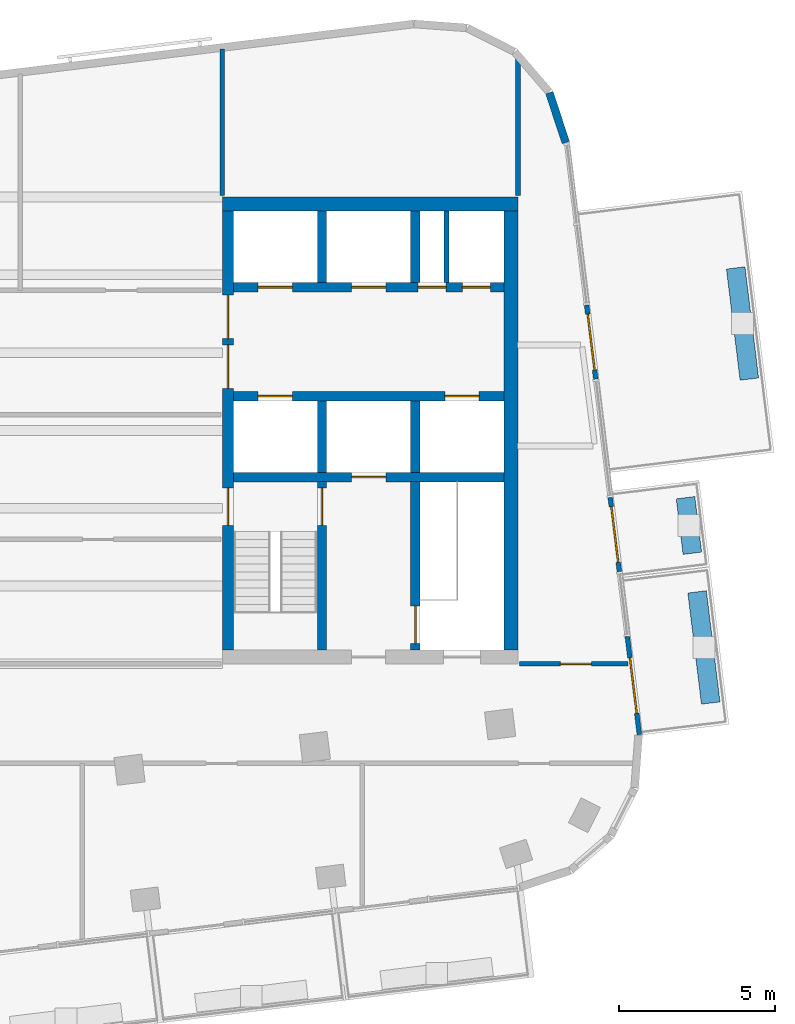
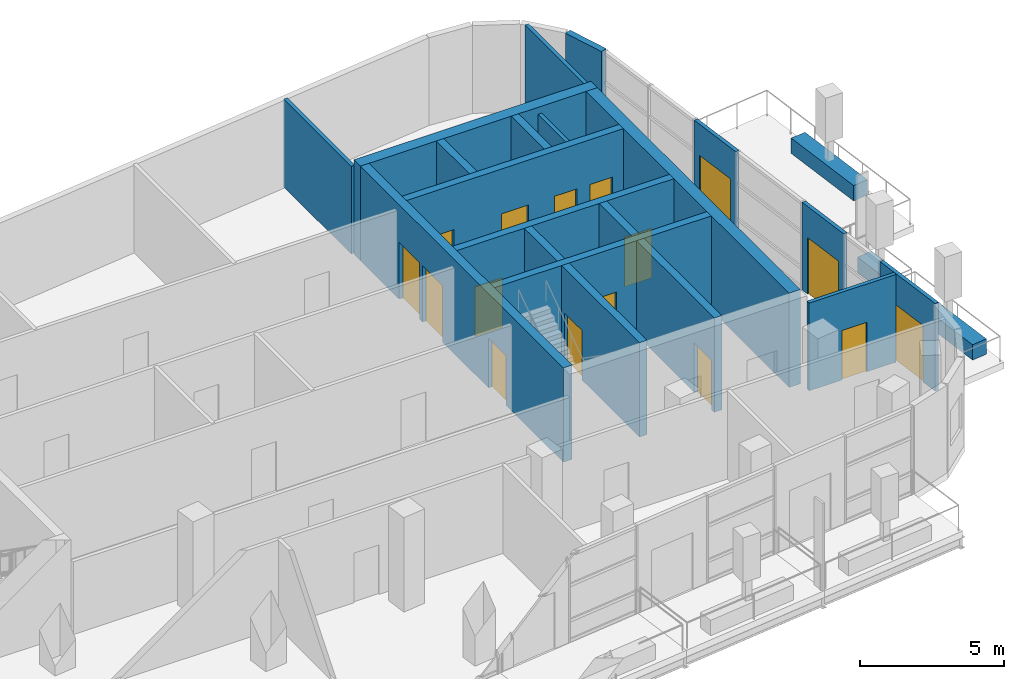
# One storey, part 9 of 13: 23 walls, 16 doors, 16 openings.
"""IFC4 building model written with IfcOpenShell, lengths in metres."""

from ifc_helpers import new_model, si_unit, direction, frame, frame_2d, origin, place, context, subcontext, project, spatial, rectangle, extrude, material, layer, layer_set, type_object, element, fill, save


model = new_model("IFC4")

# Units and contexts
model_context = context("Model", 3, precision=1e-05, world=origin(), true_north=direction((0.0, 1.0)))
body_context = subcontext(model_context, "Body", "Model", "MODEL_VIEW")
ifc_project = project(units=[si_unit("LENGTHUNIT", "METRE"), si_unit("AREAUNIT", "SQUARE_METRE"), si_unit("VOLUMEUNIT", "CUBIC_METRE"), si_unit("PLANEANGLEUNIT", "RADIAN"), si_unit("MASSUNIT", "GRAM", prefix="KILO")], contexts=[model_context])

# Site, building, storey
site_placement = place(None, origin())
site = spatial("IfcSite", under=ifc_project, at=site_placement, CompositionType="ELEMENT")
building_placement = place(site_placement, origin())
building = spatial("IfcBuilding", under=site, at=building_placement, Name="Torana Hotel and Residences", CompositionType="ELEMENT")
storey_placement = place(building_placement, frame((0.0, 0.0, 342.60009765625)))
storey = spatial("IfcBuildingStorey", under=building, at=storey_placement, Name="L90", CompositionType="ELEMENT", Elevation=342.60009765625)

# Wall, openings, doors
ifc_material_1 = material(Name="Concrete C60/75", Category="concrete")
ifc_layer_1 = layer(ifc_material_1, 0.300048828125)
ifc_layer_set_1 = layer_set([ifc_layer_1], Name="CORE WALL 300 C60/75")
wall_type_1 = type_object("IfcWallType", Name="CORE WALL 300 C60/75", PredefinedType="SHEAR", material=ifc_layer_set_1)
wall_1_placement = place(storey_placement, frame((10.35009765625, -2.89990234375, 0.0), z_axis=(0.0, 0.0, 1.0), x_axis=(1.0, 0.0, 0.0)))
wall_1 = element("IfcWall", 1, at=wall_1_placement, inside=storey, type_object=wall_type_1, Name="Core wall E row-N", PredefinedType="SHEAR", context=body_context, shape_type="SweptSolid", body=[
    extrude(rectangle(XDim=8.699951171875, YDim=0.300048828125, at=frame_2d((4.35009765625, 0.0))), origin(), (0.0, 0.0, 1.0), 4.0),
])
opening_1_placement = place(wall_1_placement, frame((0.800048828125, 0.0, 0.0)))
opening_1 = element("IfcOpeningElement", 2, at=opening_1_placement, cuts=wall_1, Name="Opening LD", PredefinedType="OPENING", context=body_context, shape_type="SweptSolid", body=[
    extrude(rectangle(XDim=1.10009765625, YDim=2.10009765625, at=frame_2d((0.550048828125, 1.050048828125))), frame((0.0, 0.159912109375, 0.0), z_axis=(0.0, -1.0, 0.0), x_axis=(1.0, 0.0, 0.0)), (0.0, 0.0, 1.0), 0.320068359375),
])
opening_2_placement = place(wall_1_placement, frame((3.800048828125, 0.0, 0.0)))
opening_2 = element("IfcOpeningElement", 3, at=opening_2_placement, cuts=wall_1, Name="Opening LD", PredefinedType="OPENING", context=body_context, shape_type="SweptSolid", body=[
    extrude(rectangle(XDim=1.10009765625, YDim=2.10009765625, at=frame_2d((0.550048828125, 1.050048828125))), frame((0.0, 0.159912109375, 0.0), z_axis=(0.0, -1.0, 0.0), x_axis=(1.0, 0.0, 0.0)), (0.0, 0.0, 1.0), 0.320068359375),
])
opening_3_placement = place(wall_1_placement, frame((5.9375, 0.0, 0.0)))
opening_3 = element("IfcOpeningElement", 4, at=opening_3_placement, cuts=wall_1, Name="Opening L90-15", PredefinedType="OPENING", context=body_context, shape_type="SweptSolid", body=[
    extrude(rectangle(XDim=0.89990234375, YDim=2.10009765625, at=frame_2d((0.449951171875, 1.050048828125))), frame((0.0, 0.159912109375, 0.0), z_axis=(0.0, -1.0, 0.0), x_axis=(1.0, 0.0, 0.0)), (0.0, 0.0, 1.0), 0.320068359375),
])
opening_4_placement = place(wall_1_placement, frame((7.362548828125, 0.0, 0.0)))
opening_4 = element("IfcOpeningElement", 5, at=opening_4_placement, cuts=wall_1, Name="Opening L90-16", PredefinedType="OPENING", context=body_context, shape_type="SweptSolid", body=[
    extrude(rectangle(XDim=0.89990234375, YDim=2.10009765625, at=frame_2d((0.449951171875, 1.050048828125))), frame((0.0, 0.159912109375, 0.0), z_axis=(0.0, -1.0, 0.0), x_axis=(1.0, 0.0, 0.0)), (0.0, 0.0, 1.0), 0.320068359375),
])
ifc_material_2 = material(Name="Stainless steel 316", Category="steel")
door_type_1 = type_object("IfcDoorType", Name="LIFT LANDING DOOR LD 1100x2100", OperationType="DOUBLE_DOOR_SLIDING", PredefinedType="USERDEFINED", material=ifc_material_2)
door_1_placement = place(opening_1_placement, origin())
door_1 = element("IfcDoor", 6, at=door_1_placement, inside=storey, type_object=door_type_1, Name="Lift landing door H3 L90", ObjectType="LIFT LANDING DOOR", OperationType="DOUBLE_DOOR_SLIDING", OverallHeight=2.10009765625, OverallWidth=1.10009765625, PredefinedType="USERDEFINED", context=body_context, shape_type="SweptSolid", body=[
    extrude(rectangle(XDim=1.10009765625, YDim=2.10009765625, at=frame_2d((0.550048828125, 1.050048828125))), frame((0.0, 0.02490234375, 0.0), z_axis=(0.0, -1.0, 0.0), x_axis=(1.0, 0.0, 0.0)), (0.0, 0.0, 1.0), 0.050048828125),
])
fill(opening_1, door_1)
door_2_placement = place(opening_2_placement, origin())
door_2 = element("IfcDoor", 7, at=door_2_placement, inside=storey, type_object=door_type_1, Name="Lift landing door H4 L90", ObjectType="LIFT LANDING DOOR", OperationType="DOUBLE_DOOR_SLIDING", OverallHeight=2.10009765625, OverallWidth=1.10009765625, PredefinedType="USERDEFINED", context=body_context, shape_type="SweptSolid", body=[
    extrude(rectangle(XDim=1.10009765625, YDim=2.10009765625, at=frame_2d((0.550048828125, 1.050048828125))), frame((0.0, 0.02490234375, 0.0), z_axis=(0.0, -1.0, 0.0), x_axis=(1.0, 0.0, 0.0)), (0.0, 0.0, 1.0), 0.050048828125),
])
fill(opening_2, door_2)
ifc_material_3 = material(Name="Steel S235", Category="steel")
door_type_2 = type_object("IfcDoorType", Name="RISER ACCESS DOOR D5 900x2100", OperationType="SINGLE_SWING_LEFT", PredefinedType="DOOR", material=ifc_material_3)
door_3_placement = place(opening_3_placement, origin())
door_3 = element("IfcDoor", 8, at=door_3_placement, inside=storey, type_object=door_type_2, Name="N2A door L90", OperationType="SINGLE_SWING_RIGHT", OverallHeight=2.10009765625, OverallWidth=0.89990234375, PredefinedType="DOOR", context=body_context, shape_type="SweptSolid", body=[
    extrude(rectangle(XDim=0.89990234375, YDim=2.10009765625, at=frame_2d((0.449951171875, 1.050048828125))), frame((0.0, 0.02490234375, 0.0), z_axis=(0.0, -1.0, 0.0), x_axis=(1.0, 0.0, 0.0)), (0.0, 0.0, 1.0), 0.050048828125),
])
fill(opening_3, door_3)
door_4_placement = place(opening_4_placement, origin())
door_4 = element("IfcDoor", 9, at=door_4_placement, inside=storey, type_object=door_type_2, Name="N2B door L90", OperationType="SINGLE_SWING_RIGHT", OverallHeight=2.10009765625, OverallWidth=0.89990234375, PredefinedType="DOOR", context=body_context, shape_type="SweptSolid", body=[
    extrude(rectangle(XDim=0.89990234375, YDim=2.10009765625, at=frame_2d((0.449951171875, 1.050048828125))), frame((0.0, 0.02490234375, 0.0), z_axis=(0.0, -1.0, 0.0), x_axis=(1.0, 0.0, 0.0)), (0.0, 0.0, 1.0), 0.050048828125),
])
fill(opening_4, door_4)

wall_2_placement = place(storey_placement, frame((10.35009765625, -6.39990234375, 0.0), z_axis=(0.0, 0.0, 1.0), x_axis=(1.0, 0.0, 0.0)))
wall_2 = element("IfcWall", 10, at=wall_2_placement, inside=storey, type_object=wall_type_1, Name="Core wall E row-S", PredefinedType="SHEAR", context=body_context, shape_type="SweptSolid", body=[
    extrude(rectangle(XDim=8.699951171875, YDim=0.300048828125, at=frame_2d((4.35009765625, 0.0))), origin(), (0.0, 0.0, 1.0), 4.0),
])
opening_5_placement = place(wall_2_placement, frame((0.800048828125, 0.0, 0.0)))
opening_5 = element("IfcOpeningElement", 11, at=opening_5_placement, cuts=wall_2, Name="Opening LD", PredefinedType="OPENING", context=body_context, shape_type="SweptSolid", body=[
    extrude(rectangle(XDim=1.10009765625, YDim=2.10009765625, at=frame_2d((0.550048828125, 1.050048828125))), frame((0.0, 0.159912109375, 0.0), z_axis=(0.0, -1.0, 0.0), x_axis=(1.0, 0.0, 0.0)), (0.0, 0.0, 1.0), 0.320068359375),
])
opening_6_placement = place(wall_2_placement, frame((6.800048828125, 0.0, 0.0)))
opening_6 = element("IfcOpeningElement", 12, at=opening_6_placement, cuts=wall_2, Name="Opening LD", PredefinedType="OPENING", context=body_context, shape_type="SweptSolid", body=[
    extrude(rectangle(XDim=1.10009765625, YDim=2.10009765625, at=frame_2d((0.550048828125, 1.050048828125))), frame((0.0, 0.159912109375, 0.0), z_axis=(0.0, -1.0, 0.0), x_axis=(1.0, 0.0, 0.0)), (0.0, 0.0, 1.0), 0.320068359375),
])
door_5_placement = place(opening_5_placement, origin())
door_5 = element("IfcDoor", 13, at=door_5_placement, inside=storey, type_object=door_type_1, Name="Lift landing door X2 L90", ObjectType="LIFT LANDING DOOR", OperationType="DOUBLE_DOOR_SLIDING", OverallHeight=2.10009765625, OverallWidth=1.10009765625, PredefinedType="USERDEFINED", context=body_context, shape_type="SweptSolid", body=[
    extrude(rectangle(XDim=1.10009765625, YDim=2.10009765625, at=frame_2d((0.550048828125, 1.050048828125))), frame((0.0, 0.02490234375, 0.0), z_axis=(0.0, -1.0, 0.0), x_axis=(1.0, 0.0, 0.0)), (0.0, 0.0, 1.0), 0.050048828125),
])
fill(opening_5, door_5)
door_6_placement = place(opening_6_placement, origin())
door_6 = element("IfcDoor", 14, at=door_6_placement, inside=storey, type_object=door_type_1, Name="Lift landing door SV2 L90", ObjectType="LIFT LANDING DOOR", OperationType="DOUBLE_DOOR_SLIDING", OverallHeight=2.10009765625, OverallWidth=1.10009765625, PredefinedType="USERDEFINED", context=body_context, shape_type="SweptSolid", body=[
    extrude(rectangle(XDim=1.10009765625, YDim=2.10009765625, at=frame_2d((0.550048828125, 1.050048828125))), frame((0.0, 0.02490234375, 0.0), z_axis=(0.0, -1.0, 0.0), x_axis=(1.0, 0.0, 0.0)), (0.0, 0.0, 1.0), 0.050048828125),
])
fill(opening_6, door_6)

# Wall, opening, door
wall_3_placement = place(storey_placement, frame((10.35009765625, -9.0, 0.0), z_axis=(0.0, 0.0, 1.0), x_axis=(1.0, 0.0, 0.0)))
wall_3 = element("IfcWall", 15, at=wall_3_placement, inside=storey, type_object=wall_type_1, Name="Core wall E band", PredefinedType="SHEAR", context=body_context, shape_type="SweptSolid", body=[
    extrude(rectangle(XDim=8.699951171875, YDim=0.300048828125, at=frame_2d((4.35009765625, 0.0))), origin(), (0.0, 0.0, 1.0), 4.0),
])
opening_7_placement = place(wall_3_placement, frame((3.800048828125, 0.0, 0.0)))
opening_7 = element("IfcOpeningElement", 16, at=opening_7_placement, cuts=wall_3, Name="Opening LD", PredefinedType="OPENING", context=body_context, shape_type="SweptSolid", body=[
    extrude(rectangle(XDim=1.10009765625, YDim=2.10009765625, at=frame_2d((0.550048828125, 1.050048828125))), frame((0.0, 0.159912109375, 0.0), z_axis=(0.0, -1.0, 0.0), x_axis=(1.0, 0.0, 0.0)), (0.0, 0.0, 1.0), 0.320068359375),
])
door_7_placement = place(opening_7_placement, origin())
door_7 = element("IfcDoor", 17, at=door_7_placement, inside=storey, type_object=door_type_1, Name="Lift landing door FF2 L90", ObjectType="LIFT LANDING DOOR", OperationType="DOUBLE_DOOR_SLIDING", OverallHeight=2.10009765625, OverallWidth=1.10009765625, PredefinedType="USERDEFINED", context=body_context, shape_type="SweptSolid", body=[
    extrude(rectangle(XDim=1.10009765625, YDim=2.10009765625, at=frame_2d((0.550048828125, 1.050048828125))), frame((0.0, 0.02490234375, 0.0), z_axis=(0.0, -1.0, 0.0), x_axis=(1.0, 0.0, 0.0)), (0.0, 0.0, 1.0), 0.050048828125),
])
fill(opening_7, door_7)

# Walls
for number, where, z_axis, x_axis, name in (
    (18, (13.199951171875, -2.75, 0.0), (0.0, 0.0, 1.0), (0.0, 1.0, 0.0), "Core wall E x3.05-N"),
    (19, (13.199951171875, -8.85009765625, 0.0), (0.0, 0.0, 1.0), (0.0, 1.0, 0.0), "Core wall E x3.05-S"),
):
    element("IfcWall", number, at=place(storey_placement, frame(where, z_axis=z_axis, x_axis=x_axis)), inside=storey, type_object=wall_type_1, Name=name, PredefinedType="SHEAR", context=body_context, shape_type="SweptSolid", body=[
        extrude(rectangle(XDim=2.300048828125, YDim=0.300048828125, at=frame_2d((1.14990234375, 0.0))), origin(), (0.0, 0.0, 1.0), 4.0),
    ])

# Wall, opening, door
wall_4_placement = place(storey_placement, frame((13.199951171875, -14.550048828125, 0.0), z_axis=(0.0, 0.0, 1.0), x_axis=(0.0, 1.0, 0.0)))
wall_4 = element("IfcWall", 20, at=wall_4_placement, inside=storey, type_object=wall_type_1, Name="Core wall E x3.05-band", PredefinedType="SHEAR", context=body_context, shape_type="SweptSolid", body=[
    extrude(rectangle(XDim=5.400146484375, YDim=0.300048828125, at=frame_2d((2.7001953125, 0.0))), origin(), (0.0, 0.0, 1.0), 4.0),
])
opening_8_placement = place(wall_4_placement, frame((4.0, 0.0, 0.0)))
opening_8 = element("IfcOpeningElement", 21, at=opening_8_placement, cuts=wall_4, Name="Opening L90-17", PredefinedType="OPENING", context=body_context, shape_type="SweptSolid", body=[
    extrude(rectangle(XDim=1.199951171875, YDim=2.10009765625, at=frame_2d((0.60009765625, 1.050048828125))), frame((0.0, 0.159912109375, 0.0), z_axis=(0.0, -1.0, 0.0), x_axis=(1.0, 0.0, 0.0)), (0.0, 0.0, 1.0), 0.320068359375),
])
ifc_material_4 = material(Name="Steel S235", Category="steel")
door_type_3 = type_object("IfcDoorType", Name="STAIR FIRE DOOR D3 1200x2100", OperationType="SINGLE_SWING_LEFT", PredefinedType="DOOR", material=ifc_material_4)
door_8_placement = place(opening_8_placement, origin())
door_8 = element("IfcDoor", 22, at=door_8_placement, inside=storey, type_object=door_type_3, Name="Stair-A-lobby door L90", OperationType="SINGLE_SWING_LEFT", OverallHeight=2.10009765625, OverallWidth=1.199951171875, PredefinedType="DOOR", context=body_context, shape_type="SweptSolid", body=[
    extrude(rectangle(XDim=1.199951171875, YDim=2.10009765625, at=frame_2d((0.60009765625, 1.050048828125))), frame((0.0, 0.02490234375, 0.0), z_axis=(0.0, -1.0, 0.0), x_axis=(1.0, 0.0, 0.0)), (0.0, 0.0, 1.0), 0.050048828125),
])
fill(opening_8, door_8)

# Walls
for number, where, z_axis, x_axis, name in (
    (23, (16.199951171875, -2.75, 0.0), (0.0, 0.0, 1.0), (0.0, 1.0, 0.0), "Core wall E x6.05-N"),
    (24, (16.199951171875, -8.85009765625, 0.0), (0.0, 0.0, 1.0), (0.0, 1.0, 0.0), "Core wall E x6.05-S"),
):
    element("IfcWall", number, at=place(storey_placement, frame(where, z_axis=z_axis, x_axis=x_axis)), inside=storey, type_object=wall_type_1, Name=name, PredefinedType="SHEAR", context=body_context, shape_type="SweptSolid", body=[
        extrude(rectangle(XDim=2.300048828125, YDim=0.300048828125, at=frame_2d((1.14990234375, 0.0))), origin(), (0.0, 0.0, 1.0), 4.0),
    ])

# Wall, opening, door
wall_5_placement = place(storey_placement, frame((16.199951171875, -14.550048828125, 0.0), z_axis=(0.0, 0.0, 1.0), x_axis=(0.0, 1.0, 0.0)))
wall_5 = element("IfcWall", 25, at=wall_5_placement, inside=storey, type_object=wall_type_1, Name="Core wall E x6.05-band", PredefinedType="SHEAR", context=body_context, shape_type="SweptSolid", body=[
    extrude(rectangle(XDim=5.400146484375, YDim=0.300048828125, at=frame_2d((2.7001953125, 0.0))), origin(), (0.0, 0.0, 1.0), 4.0),
])
opening_9_placement = place(wall_5_placement, frame((0.199951171875, 0.0, 0.0)))
opening_9 = element("IfcOpeningElement", 26, at=opening_9_placement, cuts=wall_5, Name="Opening L90-18", PredefinedType="OPENING", context=body_context, shape_type="SweptSolid", body=[
    extrude(rectangle(XDim=1.199951171875, YDim=2.10009765625, at=frame_2d((0.60009765625, 1.050048828125))), frame((0.0, 0.159912109375, 0.0), z_axis=(0.0, -1.0, 0.0), x_axis=(1.0, 0.0, 0.0)), (0.0, 0.0, 1.0), 0.320068359375),
])
door_9_placement = place(opening_9_placement, frame((0.60009765625, 0.0, 0.0), z_axis=(0.0, 0.0, 1.0), x_axis=(-1.0, 0.0, 0.0)))
door_9 = element("IfcDoor", 27, at=door_9_placement, inside=storey, type_object=door_type_3, Name="Stair-B-lobby door L90", OperationType="SINGLE_SWING_LEFT", OverallHeight=2.10009765625, OverallWidth=1.199951171875, PredefinedType="DOOR", context=body_context, shape_type="SweptSolid", body=[
    extrude(rectangle(XDim=1.199951171875, YDim=2.10009765625, at=frame_2d((0.0, 1.050048828125))), frame((0.0, -0.02490234375, 0.0), z_axis=(0.0, 1.0, 0.0), x_axis=(-1.0, 0.0, 0.0)), (0.0, 0.0, 1.0), 0.050048828125),
])
fill(opening_9, door_9)

# Wall, openings, doors
ifc_material_5 = material(Name="Concrete C60/75", Category="concrete")
ifc_layer_2 = layer(ifc_material_5, 0.35009765625)
ifc_layer_set_2 = layer_set([ifc_layer_2], Name="CORE WALL 350 C60/75")
wall_type_2 = type_object("IfcWallType", Name="CORE WALL 350 C60/75", PredefinedType="SHEAR", material=ifc_layer_set_2)
wall_6_placement = place(storey_placement, frame((10.175048828125, -14.550048828125, 0.0), z_axis=(0.0, 0.0, 1.0), x_axis=(0.0, 1.0, 0.0)))
wall_6 = element("IfcWall", 28, at=wall_6_placement, inside=storey, type_object=wall_type_2, Name="Core wall E arch", PredefinedType="SHEAR", context=body_context, shape_type="SweptSolid", body=[
    extrude(rectangle(XDim=14.10009765625, YDim=0.35009765625, at=frame_2d((7.050048828125, 0.0))), origin(), (0.0, 0.0, 1.0), 4.0),
])
opening_10_placement = place(wall_6_placement, frame((8.39990234375, 0.0, 0.0)))
opening_10 = element("IfcOpeningElement", 29, at=opening_10_placement, cuts=wall_6, Name="Opening L90-10", PredefinedType="OPENING", context=body_context, shape_type="SweptSolid", body=[
    extrude(rectangle(XDim=1.39990234375, YDim=2.39990234375, at=frame_2d((0.699951171875, 1.199951171875))), frame((0.0, 0.18505859375, 0.0), z_axis=(0.0, -1.0, 0.0), x_axis=(1.0, 0.0, 0.0)), (0.0, 0.0, 1.0), 0.3701171875),
])
opening_11_placement = place(wall_6_placement, frame((10.0, 0.0, 0.0)))
opening_11 = element("IfcOpeningElement", 30, at=opening_11_placement, cuts=wall_6, Name="Opening L90-11", PredefinedType="OPENING", context=body_context, shape_type="SweptSolid", body=[
    extrude(rectangle(XDim=1.39990234375, YDim=2.39990234375, at=frame_2d((0.699951171875, 1.199951171875))), frame((0.0, 0.18505859375, 0.0), z_axis=(0.0, -1.0, 0.0), x_axis=(1.0, 0.0, 0.0)), (0.0, 0.0, 1.0), 0.3701171875),
])
opening_12_placement = place(wall_6_placement, frame((4.0, 0.0, 0.0)))
opening_12 = element("IfcOpeningElement", 31, at=opening_12_placement, cuts=wall_6, Name="Opening L90-12", PredefinedType="OPENING", context=body_context, shape_type="SweptSolid", body=[
    extrude(rectangle(XDim=1.199951171875, YDim=2.10009765625, at=frame_2d((0.60009765625, 1.050048828125))), frame((0.0, 0.18505859375, 0.0), z_axis=(0.0, -1.0, 0.0), x_axis=(1.0, 0.0, 0.0)), (0.0, 0.0, 1.0), 0.3701171875),
])
ifc_material_6 = material(Name="Steel S235", Category="steel")
door_type_4 = type_object("IfcDoorType", Name="LOBBY FIRE DOOR D4 1400x2400", OperationType="DOUBLE_DOOR_SINGLE_SWING", PredefinedType="DOOR", material=ifc_material_6)
door_10_placement = place(opening_10_placement, origin())
door_10 = element("IfcDoor", 32, at=door_10_placement, inside=storey, type_object=door_type_4, Name="Lobby-1 door L90", OperationType="DOUBLE_DOOR_SINGLE_SWING", OverallHeight=2.39990234375, OverallWidth=1.39990234375, PredefinedType="DOOR", context=body_context, shape_type="SweptSolid", body=[
    extrude(rectangle(XDim=1.39990234375, YDim=2.39990234375, at=frame_2d((0.699951171875, 1.199951171875))), frame((0.0, 0.02490234375, 0.0), z_axis=(0.0, -1.0, 0.0), x_axis=(1.0, 0.0, 0.0)), (0.0, 0.0, 1.0), 0.050048828125),
])
fill(opening_10, door_10)
door_11_placement = place(opening_11_placement, origin())
door_11 = element("IfcDoor", 33, at=door_11_placement, inside=storey, type_object=door_type_4, Name="Lobby-2 door L90", OperationType="DOUBLE_DOOR_SINGLE_SWING", OverallHeight=2.39990234375, OverallWidth=1.39990234375, PredefinedType="DOOR", context=body_context, shape_type="SweptSolid", body=[
    extrude(rectangle(XDim=1.39990234375, YDim=2.39990234375, at=frame_2d((0.699951171875, 1.199951171875))), frame((0.0, 0.02490234375, 0.0), z_axis=(0.0, -1.0, 0.0), x_axis=(1.0, 0.0, 0.0)), (0.0, 0.0, 1.0), 0.050048828125),
])
fill(opening_11, door_11)
door_12_placement = place(opening_12_placement, frame((0.60009765625, 0.0, 0.0), z_axis=(0.0, 0.0, 1.0), x_axis=(-1.0, 0.0, 0.0)))
door_12 = element("IfcDoor", 34, at=door_12_placement, inside=storey, type_object=door_type_3, Name="Stair-A door L90", OperationType="SINGLE_SWING_RIGHT", OverallHeight=2.10009765625, OverallWidth=1.199951171875, PredefinedType="DOOR", context=body_context, shape_type="SweptSolid", body=[
    extrude(rectangle(XDim=1.199951171875, YDim=2.10009765625, at=frame_2d((0.0, 1.050048828125))), frame((0.0, -0.02490234375, 0.0), z_axis=(0.0, 1.0, 0.0), x_axis=(-1.0, 0.0, 0.0)), (0.0, 0.0, 1.0), 0.050048828125),
])
fill(opening_12, door_12)

# Walls
ifc_material_7 = material(Name="Concrete C60/75", Category="concrete")
ifc_layer_3 = layer(ifc_material_7, 0.449951171875)
ifc_layer_set_3 = layer_set([ifc_layer_3], Name="CORE WALL 450 C60/75")
wall_type_3 = type_object("IfcWallType", Name="CORE WALL 450 C60/75", PredefinedType="SHEAR", material=ifc_layer_set_3)
wall_7_placement = place(storey_placement, frame((10.0, -0.22509765625, 0.0), z_axis=(0.0, 0.0, 1.0), x_axis=(1.0, 0.0, 0.0)))
element("IfcWall", 35, at=wall_7_placement, inside=storey, type_object=wall_type_3, Name="Core wall E rear", PredefinedType="SHEAR", context=body_context, shape_type="SweptSolid", body=[
    extrude(rectangle(XDim=9.5, YDim=0.449951171875, at=frame_2d((4.75, 0.0))), origin(), (0.0, 0.0, 1.0), 4.0),
])
wall_8_placement = place(storey_placement, frame((19.27490234375, -14.550048828125, 0.0), z_axis=(0.0, 0.0, 1.0), x_axis=(0.0, 1.0, 0.0)))
element("IfcWall", 36, at=wall_8_placement, inside=storey, type_object=wall_type_3, Name="Core wall E outer", PredefinedType="SHEAR", context=body_context, shape_type="SweptSolid", body=[
    extrude(rectangle(XDim=14.10009765625, YDim=0.449951171875, at=frame_2d((7.050048828125, 0.0))), origin(), (0.0, 0.0, 1.0), 4.0),
])
ifc_material_8 = material(Name="Black aluminium composite panel", Category="aluminium")
ifc_layer_4 = layer(ifc_material_8, 0.00390625, Name="Cladding", Category="cladding")
ifc_material_9 = material(Name="Ventilated air cavity")
ifc_layer_5 = layer(ifc_material_9, 0.0400390625, Name="Ventilated cavity", Category="cavity")
ifc_material_10 = material(Name="Mineral wool insulation")
ifc_layer_6 = layer(ifc_material_10, 0.090087890625, Name="Insulation", Category="insulation")
ifc_material_11 = material(Name="Steel S280GD", Category="steel")
ifc_layer_7 = layer(ifc_material_11, 0.092041015625, Name="Steel stud frame", Category="structure")
ifc_material_12 = material(Name="Fire rated plasterboard")
ifc_layer_8 = layer(ifc_material_12, 0.011962890625, Name="Inner board", Category="finish")
ifc_layer_9 = layer(ifc_material_12, 0.011962890625, Name="Second board", Category="finish")
ifc_layer_set_4 = layer_set([ifc_layer_4, ifc_layer_5, ifc_layer_6, ifc_layer_7, ifc_layer_8, ifc_layer_9], Name="EW1 EXTERNAL WALL BLACK METAL CLAD 250")
wall_type_4 = type_object("IfcWallType", Name="EW1 EXTERNAL WALL BLACK METAL CLAD 250", PredefinedType="SOLIDWALL", material=ifc_layer_set_4)
wall_9_placement = place(storey_placement, frame((21.035888671875, 1.754638671875, 0.0), z_axis=(0.0, 0.0, 1.0), x_axis=(-0.313046160822, 0.949737911844, 0.0)))
element("IfcWall", 37, at=wall_9_placement, inside=storey, type_object=wall_type_4, Name="External wall L90 e0.0", PredefinedType="SOLIDWALL", context=body_context, shape_type="SweptSolid", body=[
    extrude(rectangle(XDim=1.681396484375, YDim=0.25, at=frame_2d((0.8408203125, 0.0))), origin(), (0.0, 0.0, 1.0), 3.719970703125),
])
ifc_material_13 = material(Name="Gypsum plaster")
ifc_layer_10 = layer(ifc_material_13, 0.014892578125, Name="Plaster", Category="finish")
ifc_material_14 = material(Name="Concrete blockwork", Category="masonry")
ifc_layer_11 = layer(ifc_material_14, 0.1201171875, Name="Blockwork", Category="structure")
ifc_layer_12 = layer(ifc_material_13, 0.014892578125, Name="Plaster", Category="finish")
ifc_layer_set_5 = layer_set([ifc_layer_10, ifc_layer_11, ifc_layer_12], Name="FIRE PARTITION 150 BLOCKWORK")
wall_type_5 = type_object("IfcWallType", Name="FIRE PARTITION 150 BLOCKWORK", PredefinedType="PARTITIONING", material=ifc_layer_set_5)
wall_10_placement = place(storey_placement, frame((17.199951171875, -2.75, 0.0), z_axis=(0.0, 0.0, 1.0), x_axis=(0.0, 1.0, 0.0)))
element("IfcWall", 38, at=wall_10_placement, inside=storey, type_object=wall_type_5, Name="Core partition L90", PredefinedType="PARTITIONING", context=body_context, shape_type="SweptSolid", body=[
    extrude(rectangle(XDim=2.300048828125, YDim=0.14990234375, at=frame_2d((1.14990234375, 0.0))), origin(), (0.0, 0.0, 1.0), 3.699951171875),
])

# Wall, opening, door
wall_11_placement = place(storey_placement, frame((19.550048828125, -15.0, 0.0), z_axis=(0.0, 0.0, 1.0), x_axis=(1.0, 0.0, 0.0)))
wall_11 = element("IfcWall", 39, at=wall_11_placement, inside=storey, type_object=wall_type_5, Name="Partition L90", PredefinedType="PARTITIONING", context=body_context, shape_type="SweptSolid", body=[
    extrude(rectangle(XDim=3.489990234375, YDim=0.14990234375, at=frame_2d((1.7451171875, 0.0))), origin(), (0.0, 0.0, 1.0), 3.719970703125),
])
opening_13_placement = place(wall_11_placement, frame((1.31103515625, 0.0, 0.0)))
opening_13 = element("IfcOpeningElement", 40, at=opening_13_placement, cuts=wall_11, Name="Opening L90-25", PredefinedType="OPENING", context=body_context, shape_type="SweptSolid", body=[
    extrude(rectangle(XDim=1.0, YDim=2.10009765625, at=frame_2d((0.5, 1.050048828125))), frame((0.0, 0.0849609375, 0.0), z_axis=(0.0, -1.0, 0.0), x_axis=(1.0, 0.0, 0.0)), (0.0, 0.0, 1.0), 0.169921875),
])
ifc_material_15 = material(Name="Steel S235", Category="steel")
door_type_5 = type_object("IfcDoorType", Name="CORE ROOM FIRE DOOR D14 1000x2100", OperationType="SINGLE_SWING_LEFT", PredefinedType="DOOR", material=ifc_material_15)
door_13_placement = place(opening_13_placement, origin())
door_13 = element("IfcDoor", 41, at=door_13_placement, inside=storey, type_object=door_type_5, Name="Door L90", OperationType="SINGLE_SWING_LEFT", OverallHeight=2.10009765625, OverallWidth=1.0, PredefinedType="DOOR", context=body_context, shape_type="SweptSolid", body=[
    extrude(rectangle(XDim=1.0, YDim=2.10009765625, at=frame_2d((0.5, 1.050048828125))), frame((0.0, 0.02490234375, 0.0), z_axis=(0.0, -1.0, 0.0), x_axis=(1.0, 0.0, 0.0)), (0.0, 0.0, 1.0), 0.050048828125),
])
fill(opening_13, door_13)

ifc_material_16 = material(Name="Dark glass screen in aluminium frame", Category="aluminium")
ifc_layer_13 = layer(ifc_material_16, 0.14990234375)
ifc_layer_set_6 = layer_set([ifc_layer_13], Name="GS1 GLAZED DOOR SCREEN 150")
wall_type_6 = type_object("IfcWallType", Name="GS1 GLAZED DOOR SCREEN 150", PredefinedType="USERDEFINED", material=ifc_layer_set_6)
wall_12_placement = place(storey_placement, frame((23.39990234375, -17.274169921875, 0.0), z_axis=(0.0, 0.0, 1.0), x_axis=(-0.121858082248, 0.992547534273, 0.0)))
wall_12 = element("IfcWall", 42, at=wall_12_placement, inside=storey, type_object=wall_type_6, Name="Glazed door screen L90", ObjectType="GLAZED SCREEN", PredefinedType="USERDEFINED", context=body_context, shape_type="SweptSolid", body=[
    extrude(rectangle(XDim=3.175537109375, YDim=0.14990234375, at=frame_2d((1.587890625, 0.0))), origin(), (0.0, 0.0, 1.0), 3.719970703125),
])
opening_14_placement = place(wall_12_placement, frame((0.687744140625, 0.0, 0.0)))
opening_14 = element("IfcOpeningElement", 43, at=opening_14_placement, cuts=wall_12, Name="Opening L90-E10", PredefinedType="OPENING", context=body_context, shape_type="SweptSolid", body=[
    extrude(rectangle(XDim=1.800048828125, YDim=2.39990234375, at=frame_2d((0.89990234375, 1.199951171875))), frame((0.0, 0.0849609375, 0.0), z_axis=(0.0, -1.0, 0.0), x_axis=(1.0, 0.0, 0.0)), (0.0, 0.0, 1.0), 0.169921875),
])
ifc_material_17 = material(Name="Dark glass in black aluminium frame", Category="aluminium")
door_type_6 = type_object("IfcDoorType", Name="DB1 BALCONY DOOR 1800x2400", OperationType="DOUBLE_DOOR_SINGLE_SWING", PredefinedType="DOOR", material=ifc_material_17)
door_14_placement = place(opening_14_placement, origin())
door_14 = element("IfcDoor", 44, at=door_14_placement, inside=storey, type_object=door_type_6, Name="Balcony door L90", OperationType="DOUBLE_DOOR_SINGLE_SWING", OverallHeight=2.39990234375, OverallWidth=1.800048828125, PredefinedType="DOOR", context=body_context, shape_type="SweptSolid", body=[
    extrude(rectangle(XDim=1.800048828125, YDim=2.39990234375, at=frame_2d((0.89990234375, 1.199951171875))), frame((0.0, 0.02490234375, 0.0), z_axis=(0.0, -1.0, 0.0), x_axis=(1.0, 0.0, 0.0)), (0.0, 0.0, 1.0), 0.050048828125),
])
fill(opening_14, door_14)

wall_13_placement = place(storey_placement, frame((22.757080078125, -12.0380859375, 0.0), z_axis=(0.0, 0.0, 1.0), x_axis=(-0.121868445399, 0.992546261902, 0.0)))
wall_13 = element("IfcWall", 45, at=wall_13_placement, inside=storey, type_object=wall_type_6, Name="Glazed door screen L90", ObjectType="GLAZED SCREEN", PredefinedType="USERDEFINED", context=body_context, shape_type="SweptSolid", body=[
    extrude(rectangle(XDim=2.39990234375, YDim=0.14990234375, at=frame_2d((1.199951171875, 0.0))), origin(), (0.0, 0.0, 1.0), 3.719970703125),
])
opening_15_placement = place(wall_13_placement, frame((0.300048828125, 0.0, 0.0)))
opening_15 = element("IfcOpeningElement", 46, at=opening_15_placement, cuts=wall_13, Name="Opening L90-E11", PredefinedType="OPENING", context=body_context, shape_type="SweptSolid", body=[
    extrude(rectangle(XDim=1.800048828125, YDim=2.39990234375, at=frame_2d((0.89990234375, 1.199951171875))), frame((0.0, 0.0849609375, 0.0), z_axis=(0.0, -1.0, 0.0), x_axis=(1.0, 0.0, 0.0)), (0.0, 0.0, 1.0), 0.169921875),
])
door_15_placement = place(opening_15_placement, origin())
door_15 = element("IfcDoor", 47, at=door_15_placement, inside=storey, type_object=door_type_6, Name="Balcony door L90", OperationType="DOUBLE_DOOR_SINGLE_SWING", OverallHeight=2.39990234375, OverallWidth=1.800048828125, PredefinedType="DOOR", context=body_context, shape_type="SweptSolid", body=[
    extrude(rectangle(XDim=1.800048828125, YDim=2.39990234375, at=frame_2d((0.89990234375, 1.199951171875))), frame((0.0, 0.02490234375, 0.0), z_axis=(0.0, -1.0, 0.0), x_axis=(1.0, 0.0, 0.0)), (0.0, 0.0, 1.0), 0.050048828125),
])
fill(opening_15, door_15)

wall_14_placement = place(storey_placement, frame((21.99755859375, -5.853271484375, 0.0), z_axis=(0.0, 0.0, 1.0), x_axis=(-0.121868445399, 0.992546261902, 0.0)))
wall_14 = element("IfcWall", 48, at=wall_14_placement, inside=storey, type_object=wall_type_6, Name="Glazed door screen L90", ObjectType="GLAZED SCREEN", PredefinedType="USERDEFINED", context=body_context, shape_type="SweptSolid", body=[
    extrude(rectangle(XDim=2.39990234375, YDim=0.14990234375, at=frame_2d((1.199951171875, 0.0))), origin(), (0.0, 0.0, 1.0), 3.719970703125),
])
opening_16_placement = place(wall_14_placement, frame((0.300048828125, 0.0, 0.0)))
opening_16 = element("IfcOpeningElement", 49, at=opening_16_placement, cuts=wall_14, Name="Opening L90-E12", PredefinedType="OPENING", context=body_context, shape_type="SweptSolid", body=[
    extrude(rectangle(XDim=1.800048828125, YDim=2.39990234375, at=frame_2d((0.89990234375, 1.199951171875))), frame((0.0, 0.0849609375, 0.0), z_axis=(0.0, -1.0, 0.0), x_axis=(1.0, 0.0, 0.0)), (0.0, 0.0, 1.0), 0.169921875),
])
door_16_placement = place(opening_16_placement, origin())
door_16 = element("IfcDoor", 50, at=door_16_placement, inside=storey, type_object=door_type_6, Name="Balcony door L90", OperationType="DOUBLE_DOOR_SINGLE_SWING", OverallHeight=2.39990234375, OverallWidth=1.800048828125, PredefinedType="DOOR", context=body_context, shape_type="SweptSolid", body=[
    extrude(rectangle(XDim=1.800048828125, YDim=2.39990234375, at=frame_2d((0.89990234375, 1.199951171875))), frame((0.0, 0.02490234375, 0.0), z_axis=(0.0, -1.0, 0.0), x_axis=(1.0, 0.0, 0.0)), (0.0, 0.0, 1.0), 0.050048828125),
])
fill(opening_16, door_16)

# Walls
ifc_material_18 = material(Name="Gypsum plasterboard")
ifc_layer_14 = layer(ifc_material_18, 0.012451171875, Name="Plasterboard", Category="finish")
ifc_layer_15 = layer(ifc_material_18, 0.012451171875, Name="Plasterboard", Category="finish")
ifc_layer_16 = layer(ifc_material_11, 0.10009765625, Name="Steel studs with mineral wool", Category="insulation")
ifc_layer_17 = layer(ifc_material_18, 0.012451171875, Name="Plasterboard", Category="finish")
ifc_layer_18 = layer(ifc_material_18, 0.012451171875, Name="Plasterboard", Category="finish")
ifc_layer_set_7 = layer_set([ifc_layer_14, ifc_layer_15, ifc_layer_16, ifc_layer_17, ifc_layer_18], Name="PARTITION 150 PLASTERBOARD")
wall_type_7 = type_object("IfcWallType", Name="PARTITION 150 PLASTERBOARD", PredefinedType="PARTITIONING", material=ifc_layer_set_7)
wall_15_placement = place(storey_placement, frame((19.5, 0.050048828125, 0.0), z_axis=(0.0, 0.0, 1.0), x_axis=(0.0, 1.0, 0.0)))
element("IfcWall", 51, at=wall_15_placement, inside=storey, type_object=wall_type_7, Name="Partition L90", PredefinedType="PARTITIONING", context=body_context, shape_type="SweptSolid", body=[
    extrude(rectangle(XDim=4.4033203125, YDim=0.14990234375, at=frame_2d((2.20166015625, 0.0))), origin(), (0.0, 0.0, 1.0), 3.719970703125),
])
wall_16_placement = place(storey_placement, frame((10.0, 0.050048828125, 0.0), z_axis=(0.0, 0.0, 1.0), x_axis=(0.0, 1.0, 0.0)))
element("IfcWall", 52, at=wall_16_placement, inside=storey, type_object=wall_type_7, Name="Partition L90", PredefinedType="PARTITIONING", context=body_context, shape_type="SweptSolid", body=[
    extrude(rectangle(XDim=4.7021484375, YDim=0.14990234375, at=frame_2d((2.35107421875, 0.0))), origin(), (0.0, 0.0, 1.0), 3.719970703125),
])
ifc_material_19 = material(Name="Concrete C40/50 precast", Category="concrete")
ifc_layer_19 = layer(ifc_material_19, 0.10009765625, Name="Planter shell", Category="structure")
ifc_material_20 = material(Name="Root resistant membrane")
ifc_layer_20 = layer(ifc_material_20, 0.00390625, Name="Waterproofing membrane", Category="membrane")
ifc_material_21 = material(Name="Drainage board with filter fleece")
ifc_layer_21 = layer(ifc_material_21, 0.02001953125, Name="Drainage board", Category="drainage")
ifc_material_22 = material(Name="Growing medium")
ifc_layer_22 = layer(ifc_material_22, 0.47607421875, Name="Planting substrate", Category="soil")
ifc_layer_set_8 = layer_set([ifc_layer_19, ifc_layer_20, ifc_layer_21, ifc_layer_22], Name="PL1 BALCONY PLANTER 600")
wall_type_8 = type_object("IfcWallType", Name="PL1 BALCONY PLANTER 600", PredefinedType="USERDEFINED", material=ifc_layer_set_8)
wall_17_placement = place(storey_placement, frame((25.2548828125, -12.6884765625, 0.0), z_axis=(0.0, 0.0, 1.0), x_axis=(0.121864343918, -0.992546765488, 0.0)))
element("IfcWall", 53, at=wall_17_placement, inside=storey, type_object=wall_type_8, Name="Planter 10", ObjectType="PLANTER", PredefinedType="USERDEFINED", context=body_context, shape_type="SweptSolid", body=[
    extrude(rectangle(XDim=3.60009765625, YDim=0.60009765625, at=frame_2d((1.800048828125, 0.0))), origin(), (0.0, 0.0, 1.0), 0.64990234375),
])
wall_18_placement = place(storey_placement, frame((24.88330078125, -9.66162109375, 0.0), z_axis=(0.0, 0.0, 1.0), x_axis=(0.121830336845, -0.992550940267, 0.0)))
element("IfcWall", 54, at=wall_18_placement, inside=storey, type_object=wall_type_8, Name="Planter 11", ObjectType="PLANTER", PredefinedType="USERDEFINED", context=body_context, shape_type="SweptSolid", body=[
    extrude(rectangle(XDim=1.799560546875, YDim=0.60009765625, at=frame_2d((0.89990234375, 0.0))), origin(), (0.0, 0.0, 1.0), 0.64990234375),
])
wall_19_placement = place(storey_placement, frame((26.49560546875, -2.2783203125, 0.0), z_axis=(0.0, 0.0, 1.0), x_axis=(0.121864343918, -0.992546765488, 0.0)))
element("IfcWall", 55, at=wall_19_placement, inside=storey, type_object=wall_type_8, Name="Planter 12", ObjectType="PLANTER", PredefinedType="USERDEFINED", context=body_context, shape_type="SweptSolid", body=[
    extrude(rectangle(XDim=3.60009765625, YDim=0.60009765625, at=frame_2d((1.800048828125, 0.0))), origin(), (0.0, 0.0, 1.0), 0.64990234375),
])

save(model, "model.ifc")
